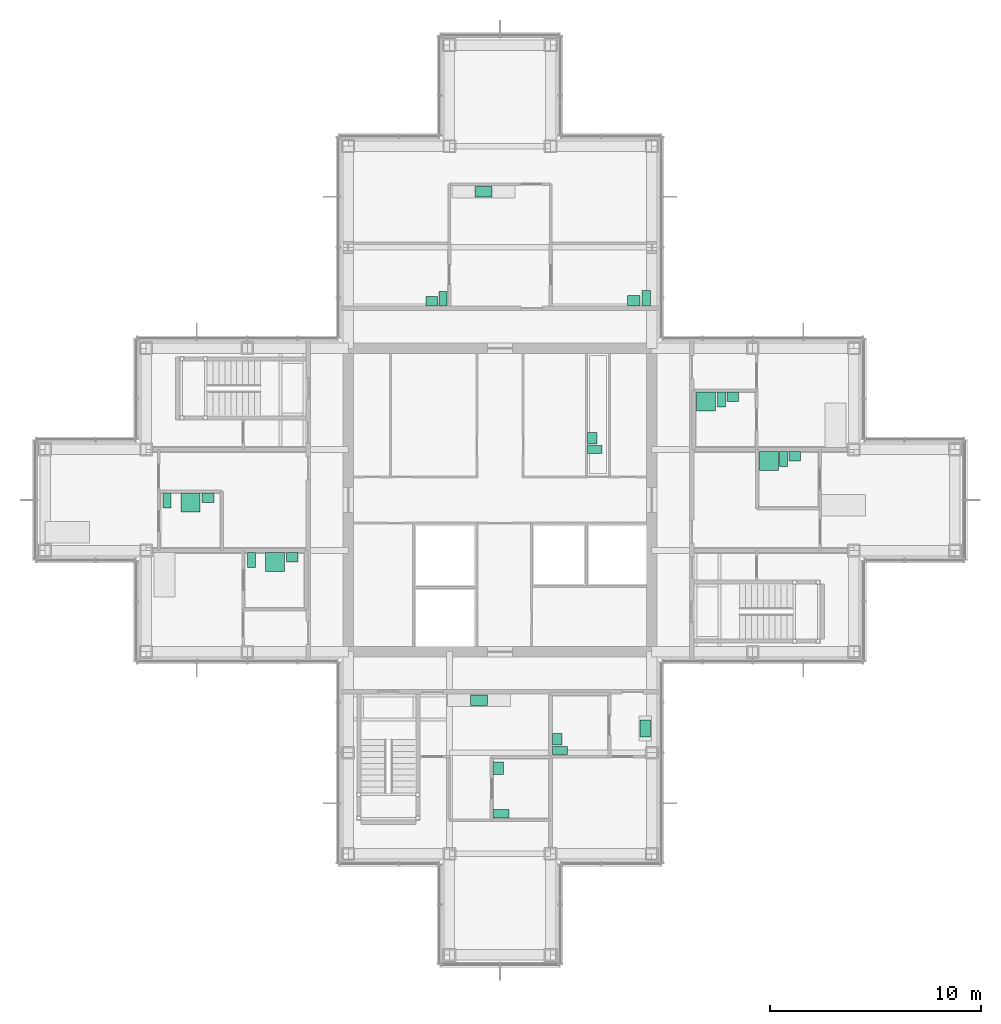
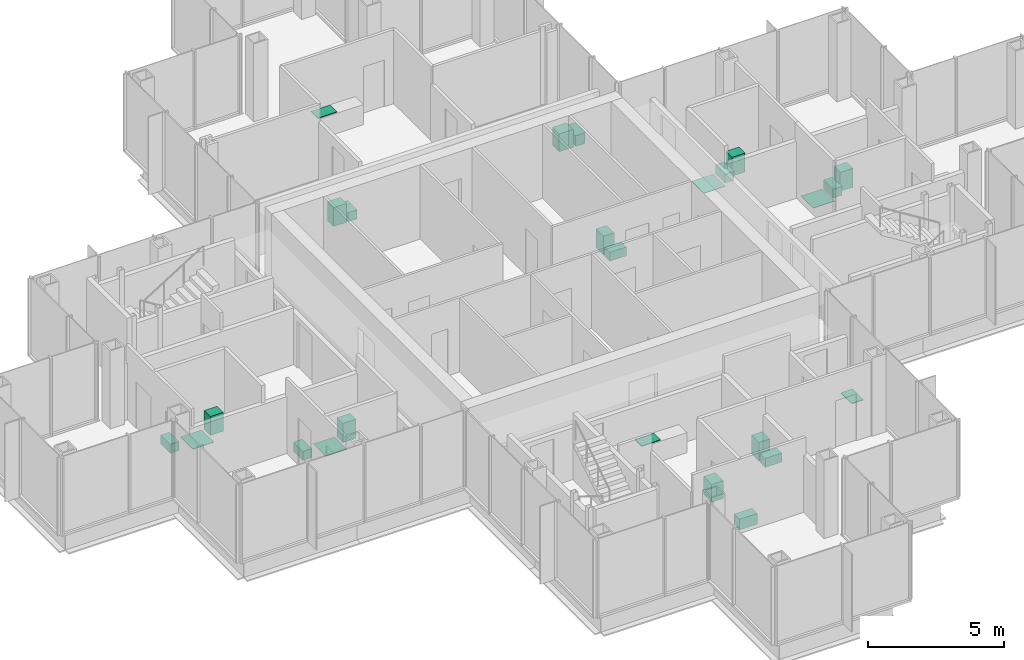
# One storey, part 16 of 17: 25 sanitary terminals.
"""IFC4 building model written with IfcOpenShell, lengths in metres."""

from ifc_helpers import new_model, si_unit, direction, frame, origin, origin_2d, place, context, subcontext, project, spatial, rectangle, extrude, material, type_object, element, save


model = new_model("IFC4")

# Units and contexts
model_context = context("Model", 3, precision=1e-05, world=origin(), true_north=direction((0.0, 1.0)))
body_context = subcontext(model_context, "Body", "Model", "MODEL_VIEW")
ifc_project = project(units=[si_unit("LENGTHUNIT", "METRE"), si_unit("AREAUNIT", "SQUARE_METRE"), si_unit("VOLUMEUNIT", "CUBIC_METRE"), si_unit("PLANEANGLEUNIT", "RADIAN"), si_unit("MASSUNIT", "GRAM", prefix="KILO")], contexts=[model_context])

# Site, building, storey
site_placement = place(None, origin())
site = spatial("IfcSite", under=ifc_project, at=site_placement, CompositionType="ELEMENT")
building_placement = place(site_placement, origin())
building = spatial("IfcBuilding", under=site, at=building_placement, Name="Kvirike Care Tower", CompositionType="ELEMENT")
storey_placement = place(building_placement, frame((0.0, 0.0, 155.0)))
storey = spatial("IfcBuildingStorey", under=building, at=storey_placement, Name="L42", CompositionType="ELEMENT", Elevation=155.0)

# Sanitary terminals
ifc_material_1 = material(Name="Vitreous china", Category="ceramic")
sanitary_terminal_type_1 = type_object("IfcSanitaryTerminalType", Name="ACCESSIBLE WASH BASIN 600 x 500", PredefinedType="WASHHANDBASIN", material=ifc_material_1)
for number, where, z_axis, x_axis, name in (
    (1, (21.527099609375, 23.260009765625, 0.02001953125), (0.0, 0.0, 1.0), (0.0, 1.0, 0.0), "Accessible wash basin L42-014"),
    (2, (27.949951171875, 45.451904296875, 0.02001953125), (0.0, 0.0, 1.0), (-1.0, 0.0, 0.0), "Accessible wash basin L42-021"),
):
    element("IfcSanitaryTerminal", number, at=place(storey_placement, frame(where, z_axis=z_axis, x_axis=x_axis)), inside=storey, type_object=sanitary_terminal_type_1, Name=name, PredefinedType="WASHHANDBASIN", context=body_context, shape_type="SweptSolid", body=[
        extrude(rectangle(XDim=0.60009765625, YDim=0.5, at=origin_2d()), origin(), (0.0, 0.0, 1.0), 0.800048828125),
    ])
ifc_material_2 = material(Name="Vitreous china", Category="ceramic")
sanitary_terminal_type_2 = type_object("IfcSanitaryTerminalType", Name="ACCESSIBLE WC PAN 400 x 750", PredefinedType="TOILETPAN", material=ifc_material_2)
for number, where, z_axis, x_axis, name in (
    (3, (21.652099609375, 21.110107421875, 0.02001953125), (0.0, 0.0, 1.0), (0.0, 1.0, 0.0), "Accessible WC pan L42-014"),
    (4, (28.550048828125, 45.576904296875, 0.02001953125), (0.0, 0.0, 1.0), (-1.0, 0.0, 0.0), "Accessible WC pan L42-021"),
):
    element("IfcSanitaryTerminal", number, at=place(storey_placement, frame(where, z_axis=z_axis, x_axis=x_axis)), inside=storey, type_object=sanitary_terminal_type_2, Name=name, PredefinedType="TOILETPAN", context=body_context, shape_type="SweptSolid", body=[
        extrude(rectangle(XDim=0.39990234375, YDim=0.75, at=origin_2d()), origin(), (0.0, 0.0, 1.0), 0.47998046875),
    ])
ifc_material_3 = material(Name="Stainless steel", Category="steel")
sanitary_terminal_type_3 = type_object("IfcSanitaryTerminalType", Name="KITCHEN SINK 800 x 500", PredefinedType="SINK", material=ifc_material_3)
for number, where, z_axis, x_axis, name in (
    (5, (20.60009765625, 26.498046875, 0.89990234375), (0.0, 0.0, 1.0), (1.0, 0.0, 0.0), "Kitchen sink L42-015"),
    (6, (28.498046875, 25.14990234375, 0.89990234375), (0.0, 0.0, 1.0), (0.0, -1.0, 0.0), "Kitchen sink L42-018"),
    (7, (20.81005859375, 50.637939453125, 0.89990234375), (0.0, 0.0, 1.0), (1.0, 0.0, 0.0), "Kitchen sink L42-023"),
):
    element("IfcSanitaryTerminal", number, at=place(storey_placement, frame(where, z_axis=z_axis, x_axis=x_axis)), inside=storey, type_object=sanitary_terminal_type_3, Name=name, PredefinedType="SINK", context=body_context, shape_type="SweptSolid", body=[
        extrude(rectangle(XDim=0.800048828125, YDim=0.5, at=origin_2d()), origin(), (0.0, 0.0, 1.0), 0.030029296875),
    ])
ifc_material_4 = material(Name="Stainless steel", Category="steel")
sanitary_terminal_type_4 = type_object("IfcSanitaryTerminalType", Name="LEVEL-ACCESS SHOWER 900 x 900", PredefinedType="SHOWER", material=ifc_material_4)
for number, where, z_axis, x_axis, name in (
    (8, (6.909912109375, 35.873046875, 0.02001953125), (0.0, 0.0, 1.0), (1.0, 0.0, 0.0), "Level-access shower L42-006"),
    (9, (10.909912109375, 33.048095703125, 0.02001953125), (0.0, 0.0, 1.0), (1.0, 0.0, 0.0), "Level-access shower L42-009"),
    (10, (34.375, 37.847900390625, 0.02001953125), (0.0, 0.0, 1.0), (1.0, 0.0, 0.0), "Level-access shower L42-029"),
    (11, (31.375, 40.673095703125, 0.02001953125), (0.0, 0.0, 1.0), (1.0, 0.0, 0.0), "Level-access shower L42-032"),
):
    element("IfcSanitaryTerminal", number, at=place(storey_placement, frame(where, z_axis=z_axis, x_axis=x_axis)), inside=storey, type_object=sanitary_terminal_type_4, Name=name, PredefinedType="SHOWER", context=body_context, shape_type="SweptSolid", body=[
        extrude(rectangle(XDim=0.89990234375, YDim=0.89990234375, at=origin_2d()), origin(), (0.0, 0.0, 1.0), 0.02001953125),
    ])
ifc_material_5 = material(Name="Vitreous china", Category="ceramic")
sanitary_terminal_type_5 = type_object("IfcSanitaryTerminalType", Name="WASH BASIN 550 x 450", PredefinedType="WASHHANDBASIN", material=ifc_material_5)
for number, where, z_axis, x_axis, name in (
    (12, (7.735107421875, 36.097900390625, 0.02001953125), (0.0, 0.0, 1.0), (1.0, 0.0, 0.0), "Wash basin L42-006"),
    (13, (11.735107421875, 33.27294921875, 0.02001953125), (0.0, 0.0, 1.0), (1.0, 0.0, 0.0), "Wash basin L42-009"),
    (14, (24.326904296875, 24.635009765625, 0.02001953125), (0.0, 0.0, 1.0), (0.0, 1.0, 0.0), "Wash basin L42-017"),
    (15, (18.35009765625, 45.427001953125, 0.02001953125), (0.0, 0.0, 1.0), (-1.0, 0.0, 0.0), "Wash basin L42-022"),
    (16, (35.60009765625, 38.072998046875, 0.02001953125), (0.0, 0.0, 1.0), (1.0, 0.0, 0.0), "Wash basin L42-029"),
    (17, (32.64990234375, 40.89794921875, 0.02001953125), (0.0, 0.0, 1.0), (1.0, 0.0, 0.0), "Wash basin L42-032"),
    (18, (25.97705078125, 38.925048828125, 0.02001953125), (0.0, 0.0, 1.0), (0.0, 1.0, 0.0), "Wash basin L42-040"),
):
    element("IfcSanitaryTerminal", number, at=place(storey_placement, frame(where, z_axis=z_axis, x_axis=x_axis)), inside=storey, type_object=sanitary_terminal_type_5, Name=name, PredefinedType="WASHHANDBASIN", context=body_context, shape_type="SweptSolid", body=[
        extrude(rectangle(XDim=0.550048828125, YDim=0.449951171875, at=origin_2d()), origin(), (0.0, 0.0, 1.0), 0.85009765625),
    ])
ifc_material_6 = material(Name="Vitreous china", Category="ceramic")
sanitary_terminal_type_6 = type_object("IfcSanitaryTerminalType", Name="WC PAN 380 x 700", PredefinedType="TOILETPAN", material=ifc_material_6)
for number, where, z_axis, x_axis, name in (
    (19, (5.800048828125, 35.972900390625, 0.02001953125), (0.0, 0.0, 1.0), (1.0, 0.0, 0.0), "WC pan L42-006"),
    (20, (9.800048828125, 33.14794921875, 0.02001953125), (0.0, 0.0, 1.0), (1.0, 0.0, 0.0), "WC pan L42-009"),
    (21, (24.451904296875, 24.10009765625, 0.02001953125), (0.0, 0.0, 1.0), (0.0, 1.0, 0.0), "WC pan L42-017"),
    (22, (18.885009765625, 45.552001953125, 0.02001953125), (0.0, 0.0, 1.0), (-1.0, 0.0, 0.0), "WC pan L42-022"),
    (23, (35.06494140625, 37.947998046875, 0.02001953125), (0.0, 0.0, 1.0), (1.0, 0.0, 0.0), "WC pan L42-029"),
    (24, (32.114990234375, 40.77294921875, 0.02001953125), (0.0, 0.0, 1.0), (1.0, 0.0, 0.0), "WC pan L42-032"),
    (25, (26.10205078125, 38.389892578125, 0.02001953125), (0.0, 0.0, 1.0), (0.0, 1.0, 0.0), "WC pan L42-040"),
):
    element("IfcSanitaryTerminal", number, at=place(storey_placement, frame(where, z_axis=z_axis, x_axis=x_axis)), inside=storey, type_object=sanitary_terminal_type_6, Name=name, PredefinedType="TOILETPAN", context=body_context, shape_type="SweptSolid", body=[
        extrude(rectangle(XDim=0.3798828125, YDim=0.699951171875, at=origin_2d()), origin(), (0.0, 0.0, 1.0), 0.39990234375),
    ])

save(model, "model.ifc")
